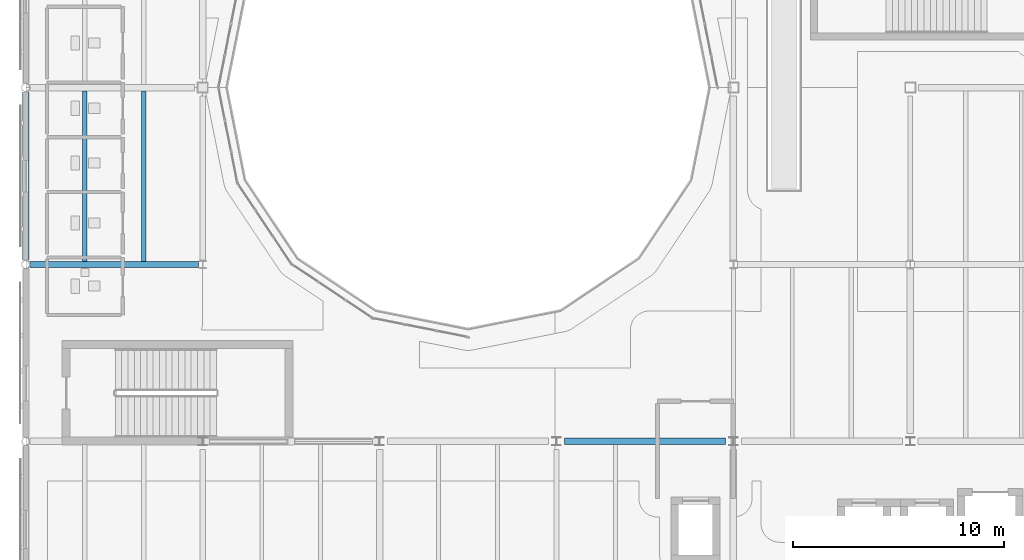
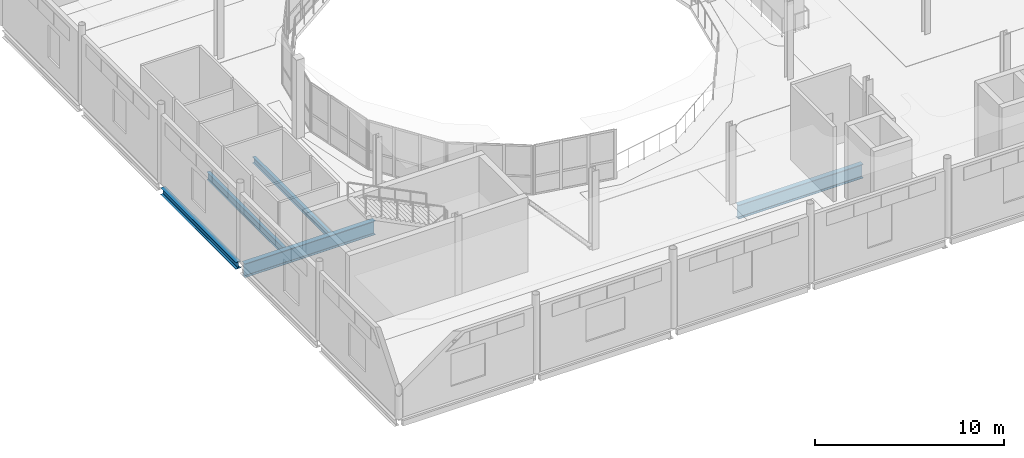
# One storey, part 16 of 104: 5 beams.
"""IFC4 building model written with IfcOpenShell, lengths in metres."""

from ifc_helpers import new_model, si_unit, direction, frame, origin, origin_2d, place, context, subcontext, project, spatial, i_section, extrude, material, material_profile, profile_set, type_object, element, save


model = new_model("IFC4")

# Units and contexts
model_context = context("Model", 3, precision=1e-05, world=origin(), true_north=direction((0.0, 1.0)))
body_context = subcontext(model_context, "Body", "Model", "MODEL_VIEW")
ifc_project = project(units=[si_unit("LENGTHUNIT", "METRE"), si_unit("AREAUNIT", "SQUARE_METRE"), si_unit("VOLUMEUNIT", "CUBIC_METRE"), si_unit("PLANEANGLEUNIT", "RADIAN"), si_unit("MASSUNIT", "GRAM", prefix="KILO"), si_unit("THERMODYNAMICTEMPERATUREUNIT", "KELVIN")], contexts=[model_context])

# Site, building, storey
site_placement = place(None, origin())
site = spatial("IfcSite", under=ifc_project, at=site_placement, CompositionType="ELEMENT")
building_placement = place(site_placement, origin())
building = spatial("IfcBuilding", under=site, at=building_placement, Name="Lustrewick Department Store", CompositionType="ELEMENT")
storey_placement = place(building_placement, frame((0.0, 0.0, 11.39990234375)))
storey = spatial("IfcBuildingStorey", under=building, at=storey_placement, Name="L03", CompositionType="ELEMENT", Elevation=11.39990234375)

# Beams
ifc_material_1 = material(Name="Structural steel Q355B", Category="steel")
ifc_material_profile_1 = material_profile(ifc_material_1, i_section(OverallWidth=0.198974609375, OverallDepth=0.49609375, WebThickness=0.009033203125, FlangeThickness=0.013916015625, FilletRadius=0.01611328125, at=origin_2d()), Name="HN 496x199x9x14")
ifc_profile_set_1 = profile_set([ifc_material_profile_1], Name="Structural steel Q355B")
beam_type_1 = type_object("IfcBeamType", Name="B02", PredefinedType="JOIST", material=ifc_profile_set_1)
beam_1_placement = place(storey_placement, frame((11.199951171875, 58.949951171875, -0.5029296875), z_axis=(0.0, 1.0, 0.0), x_axis=(-1.0, 0.0, 0.0)))
element("IfcBeam", 1, at=beam_1_placement, inside=storey, type_object=beam_type_1, Name="L03 V1 Secondary Joist B02", PredefinedType="JOIST", context=body_context, shape_type="SweptSolid", body=[
    extrude(i_section(OverallWidth=0.198974609375, OverallDepth=0.49609375, WebThickness=0.009033203125, FlangeThickness=0.013916015625, FilletRadius=0.01611328125, at=origin_2d()), origin(), (0.0, 0.0, 1.0), 8.10009765625),
])
ifc_material_profile_2 = material_profile(ifc_material_1, i_section(OverallWidth=0.198974609375, OverallDepth=0.39599609375, WebThickness=0.007080078125, FlangeThickness=0.010986328125, FilletRadius=0.013916015625, at=origin_2d()), Name="HN 396x199x7x11")
ifc_profile_set_2 = profile_set([ifc_material_profile_2], Name="Structural steel Q355B")
beam_type_2 = type_object("IfcBeamType", Name="B06", PredefinedType="JOIST", material=ifc_profile_set_2)
beam_2_placement = place(storey_placement, frame((14.0, 58.949951171875, -0.452880859375), z_axis=(0.0, 1.0, 0.0), x_axis=(-1.0, 0.0, 0.0)))
element("IfcBeam", 2, at=beam_2_placement, inside=storey, type_object=beam_type_2, Name="L03 V1 Secondary Joist B06", PredefinedType="JOIST", context=body_context, shape_type="SweptSolid", body=[
    extrude(i_section(OverallWidth=0.198974609375, OverallDepth=0.39599609375, WebThickness=0.007080078125, FlangeThickness=0.010986328125, FilletRadius=0.013916015625, at=origin_2d()), origin(), (0.0, 0.0, 1.0), 8.10009765625),
])
ifc_material_2 = material(Name="Structural steel Q355C", Category="steel")
ifc_material_profile_3 = material_profile(ifc_material_2, i_section(OverallWidth=0.300048828125, OverallDepth=0.89990234375, WebThickness=0.01611328125, FlangeThickness=0.028076171875, FilletRadius=0.02392578125, at=origin_2d()), Name="HN 900x300x16x28")
ifc_profile_set_3 = profile_set([ifc_material_profile_3], Name="Structural steel Q355C")
beam_type_3 = type_object("IfcBeamType", Name="G02", PredefinedType="BEAM", material=ifc_profile_set_3)
beam_3_placement = place(storey_placement, frame((33.97509765625, 50.39990234375, -0.704833984375), z_axis=(1.0, 0.0, 0.0), x_axis=(0.0, 1.0, 0.0)))
element("IfcBeam", 3, at=beam_3_placement, inside=storey, type_object=beam_type_3, Name="L03 V1 Girder G02", PredefinedType="BEAM", context=body_context, shape_type="SweptSolid", body=[
    extrude(i_section(OverallWidth=0.300048828125, OverallDepth=0.89990234375, WebThickness=0.01611328125, FlangeThickness=0.028076171875, FilletRadius=0.02392578125, at=origin_2d()), origin(), (0.0, 0.0, 1.0), 7.64990234375),
])
beam_4_placement = place(storey_placement, frame((8.60302734375, 58.800048828125, -0.704833984375), z_axis=(1.0, 0.0, 0.0), x_axis=(0.0, 1.0, 0.0)))
element("IfcBeam", 4, at=beam_4_placement, inside=storey, type_object=beam_type_3, Name="L03 V1 Girder G02", PredefinedType="BEAM", context=body_context, shape_type="SweptSolid", body=[
    extrude(i_section(OverallWidth=0.300048828125, OverallDepth=0.89990234375, WebThickness=0.01611328125, FlangeThickness=0.028076171875, FilletRadius=0.02392578125, at=origin_2d()), origin(), (0.0, 0.0, 1.0), 7.994384765625),
])
ifc_material_profile_4 = material_profile(ifc_material_1, i_section(OverallWidth=0.300048828125, OverallDepth=0.43994140625, WebThickness=0.010986328125, FlangeThickness=0.01806640625, FilletRadius=0.02001953125, at=origin_2d()), Name="HM 440x300x11x18")
ifc_profile_set_4 = profile_set([ifc_material_profile_4], Name="Structural steel Q355B")
beam_type_4 = type_object("IfcBeamType", Name="SP02", PredefinedType="SPANDREL", material=ifc_profile_set_4)
beam_5_placement = place(storey_placement, frame((8.39990234375, 59.0029296875, -0.474853515625), z_axis=(0.0, 1.0, 0.0), x_axis=(-1.0, 0.0, 0.0)))
element("IfcBeam", 5, at=beam_5_placement, inside=storey, type_object=beam_type_4, Name="L03 V1 Girder SP02", PredefinedType="SPANDREL", context=body_context, shape_type="SweptSolid", body=[
    extrude(i_section(OverallWidth=0.300048828125, OverallDepth=0.43994140625, WebThickness=0.010986328125, FlangeThickness=0.01806640625, FilletRadius=0.02001953125, at=origin_2d()), origin(), (0.0, 0.0, 1.0), 7.994140625),
])

save(model, "model.ifc")
